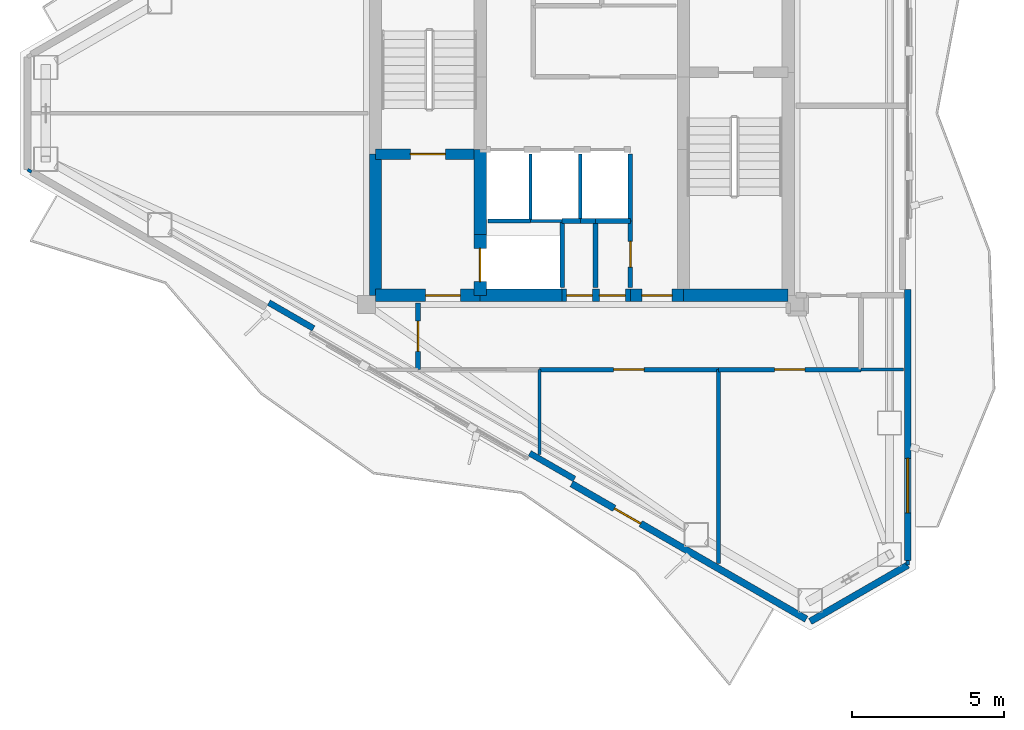
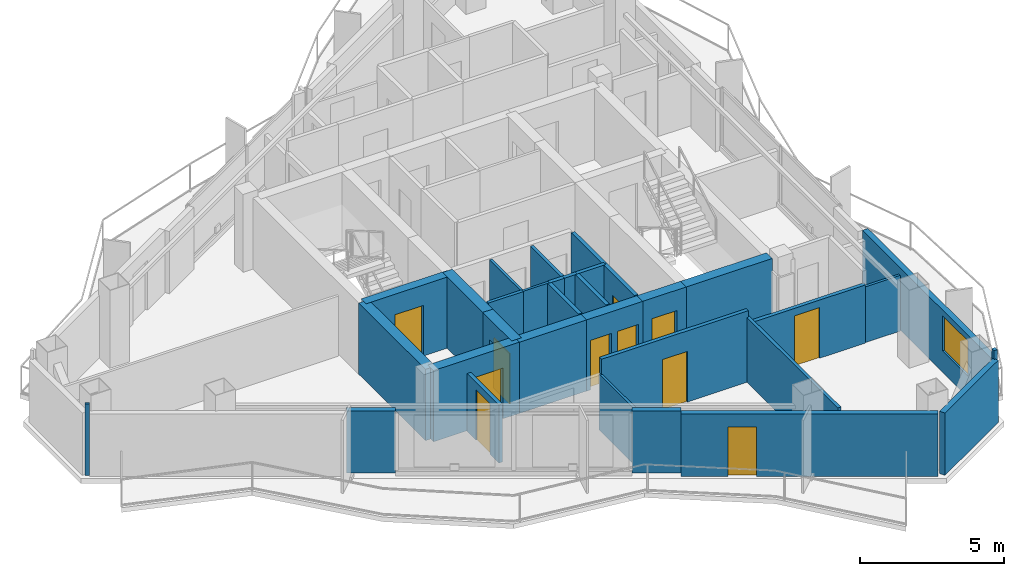
# One storey, part 14 of 18: 33 walls, 11 doors, 1 window, 12 openings.
"""IFC4 building model written with IfcOpenShell, lengths in metres."""

from ifc_helpers import new_model, si_unit, direction, frame, frame_2d, origin, place, context, subcontext, project, spatial, rectangle, extrude, material, layer, layer_set, type_object, element, fill, save


model = new_model("IFC4")

# Units and contexts
model_context = context("Model", 3, precision=1e-05, world=origin(), true_north=direction((0.0, 1.0)))
body_context = subcontext(model_context, "Body", "Model", "MODEL_VIEW")
ifc_project = project(units=[si_unit("LENGTHUNIT", "METRE"), si_unit("AREAUNIT", "SQUARE_METRE"), si_unit("VOLUMEUNIT", "CUBIC_METRE"), si_unit("PLANEANGLEUNIT", "RADIAN"), si_unit("MASSUNIT", "GRAM", prefix="KILO")], contexts=[model_context])

# Site, building, storey
site_placement = place(None, origin())
site = spatial("IfcSite", under=ifc_project, at=site_placement, CompositionType="ELEMENT")
building_placement = place(site_placement, origin())
building = spatial("IfcBuilding", under=site, at=building_placement, Name="Mersakhor Tower and Convention Hall", CompositionType="ELEMENT")
storey_placement = place(building_placement, frame((0.0, 0.0, 246.300048828125)))
storey = spatial("IfcBuildingStorey", under=building, at=storey_placement, Name="L69", CompositionType="ELEMENT", Elevation=246.300048828125)

# Wall
ifc_material_1 = material(Name="Precast concrete C40/50", Category="concrete")
ifc_layer_1 = layer(ifc_material_1, 0.22509765625)
ifc_layer_set_1 = layer_set([ifc_layer_1], Name="Precast concrete C40/50")
wall_type_1 = type_object("IfcWallType", Name="WL-EXT-225", PredefinedType="SOLIDWALL", material=ifc_layer_set_1)
wall_1_placement = place(storey_placement, frame((39.742919921875, 11.858154296875, 0.0), z_axis=(0.0, 0.0, 1.0), x_axis=(-0.866038962515, -0.499976514854, 0.0)))
element("IfcWall", 1, at=wall_1_placement, inside=storey, type_object=wall_type_1, Name="L69 Chamfer Braced Spandrel Wall C2", PredefinedType="SOLIDWALL", context=body_context, shape_type="SweptSolid", body=[
    extrude(rectangle(XDim=3.715576171875, YDim=0.22509765625, at=frame_2d((1.85791015625, 0.0))), origin(), (0.0, 0.0, 1.0), 2.639892578125),
])

# Wall, opening, window
wall_2_placement = place(storey_placement, frame((39.742919921875, 20.93603515625, 0.0), z_axis=(0.0, 0.0, 1.0), x_axis=(0.0, -1.0, 0.0)))
wall_2 = element("IfcWall", 2, at=wall_2_placement, inside=storey, type_object=wall_type_1, Name="L69 Exterior Facade Wall F2-B3", PredefinedType="SOLIDWALL", context=body_context, shape_type="SweptSolid", body=[
    extrude(rectangle(XDim=8.927734375, YDim=0.22509765625, at=frame_2d((4.4638671875, 0.0))), origin(), (0.0, 0.0, 1.0), 2.639892578125),
])
opening_1_placement = place(wall_2_placement, frame((5.56005859375, 0.0, 0.89990234375)))
opening_1 = element("IfcOpeningElement", 3, at=opening_1_placement, cuts=wall_2, Name="Opening W-03", PredefinedType="OPENING", context=body_context, shape_type="SweptSolid", body=[
    extrude(rectangle(XDim=1.800048828125, YDim=1.5, at=frame_2d((0.89990234375, 0.75))), frame((0.0, 0.12255859375, 0.0), z_axis=(0.0, -1.0, 0.0), x_axis=(1.0, 0.0, 0.0)), (0.0, 0.0, 1.0), 0.2451171875),
])
ifc_material_2 = material(Name="Dark solar low-E glazed aluminium window", Category="aluminium")
window_type = type_object("IfcWindowType", Name="WN-RES-180x150", PartitioningType="SINGLE_PANEL", PredefinedType="WINDOW", material=ifc_material_2)
window_placement = place(opening_1_placement, origin())
window = element("IfcWindow", 4, at=window_placement, inside=storey, type_object=window_type, Name="L69 Facade Punched Window F2-B3", OverallHeight=1.5, OverallWidth=1.800048828125, PartitioningType="SINGLE_PANEL", PredefinedType="WINDOW", context=body_context, shape_type="SweptSolid", body=[
    extrude(rectangle(XDim=1.800048828125, YDim=1.5, at=frame_2d((0.89990234375, 0.75))), frame((0.0, 0.030029296875, 0.0), z_axis=(0.0, -1.0, 0.0), x_axis=(1.0, 0.0, 0.0)), (0.0, 0.0, 1.0), 0.06005859375),
])
fill(opening_1, window)

# Wall, opening, door
wall_3_placement = place(storey_placement, frame((36.395263671875, 10.07568359375, 0.0), z_axis=(0.0, 0.0, 1.0), x_axis=(-0.866026655105, 0.499997832642, 0.0)))
wall_3 = element("IfcWall", 5, at=wall_3_placement, inside=storey, type_object=wall_type_1, Name="L69 Exterior Facade Wall F3-B1", PredefinedType="SOLIDWALL", context=body_context, shape_type="SweptSolid", body=[
    extrude(rectangle(XDim=8.927734375, YDim=0.22509765625, at=frame_2d((4.4638671875, 0.0))), origin(), (0.0, 0.0, 1.0), 2.639892578125),
])
opening_2_placement = place(wall_3_placement, frame((6.302001953125, 0.0, 0.0)))
opening_2 = element("IfcOpeningElement", 6, at=opening_2_placement, cuts=wall_3, Name="Opening BD-01", PredefinedType="OPENING", context=body_context, shape_type="SweptSolid", body=[
    extrude(rectangle(XDim=1.0, YDim=2.10009765625, at=frame_2d((0.5, 1.050048828125))), frame((0.0, 0.12255859375, 0.0), z_axis=(0.0, -1.0, 0.0), x_axis=(1.0, 0.0, 0.0)), (0.0, 0.0, 1.0), 0.2451171875),
])
ifc_material_3 = material(Name="Thermally broken dark aluminium and safety glass", Category="aluminium")
door_type_1 = type_object("IfcDoorType", Name="DR-BAL-100x210", OperationType="NOTDEFINED", PredefinedType="DOOR", material=ifc_material_3)
door_1_placement = place(opening_2_placement, origin())
door_1 = element("IfcDoor", 7, at=door_1_placement, inside=storey, type_object=door_type_1, Name="L69 Balcony Terrace Door F3-B1", OperationType="SINGLE_SWING_LEFT", OverallHeight=2.10009765625, OverallWidth=1.0, PredefinedType="DOOR", context=body_context, shape_type="SweptSolid", body=[
    extrude(rectangle(XDim=1.0, YDim=2.10009765625, at=frame_2d((0.5, 1.050048828125))), frame((0.0, 0.02490234375, 0.0), z_axis=(0.0, -1.0, 0.0), x_axis=(1.0, 0.0, 0.0)), (0.0, 0.0, 1.0), 0.050048828125),
])
fill(opening_2, door_1)

# Walls
ifc_material_4 = material(Name="Precast concrete C40/50", Category="concrete")
ifc_layer_2 = layer(ifc_material_4, 0.199951171875)
ifc_layer_set_2 = layer_set([ifc_layer_2], Name="Precast concrete C40/50")
wall_type_2 = type_object("IfcWallType", Name="WL-PAR-200", PredefinedType="PARAPET", material=ifc_layer_set_2)
for number, where, z_axis, x_axis, name in (
    (8, (28.753662109375, 14.6953125, 0.0), (0.0, 0.0, 1.0), (-0.866025371046, 0.500000056704, 0.0), "L69 Column Pier Cladding Wall F3-C1"),
    (9, (20.156005859375, 19.6591796875, 0.0), (0.0, 0.0, 1.0), (-0.866025371046, 0.500000056704, 0.0), "L69 Column Pier Cladding Wall F3-C2"),
):
    element("IfcWall", number, at=place(storey_placement, frame(where, z_axis=z_axis, x_axis=x_axis)), inside=storey, type_object=wall_type_2, Name=name, PredefinedType="PARAPET", context=body_context, shape_type="SweptSolid", body=[
        extrude(rectangle(XDim=1.7001953125, YDim=0.199951171875, at=frame_2d((0.85009765625, 0.0))), origin(), (0.0, 0.0, 1.0), 2.639892578125),
    ])
ifc_material_5 = material(Name="Lightweight gypsum partition", Category="other")
ifc_layer_3 = layer(ifc_material_5, 0.10009765625)
ifc_layer_set_3 = layer_set([ifc_layer_3], Name="Lightweight gypsum partition")
wall_type_3 = type_object("IfcWallType", Name="WL-PRT-100", PredefinedType="PARTITIONING", material=ifc_layer_set_3)
wall_4_placement = place(storey_placement, frame((27.300048828125, 23.199951171875, 0.0), z_axis=(0.0, 0.0, 1.0), x_axis=(1.0, 0.0, 0.0)))
element("IfcWall", 10, at=wall_4_placement, inside=storey, type_object=wall_type_3, Name="L69 Interior Partition Wall P-002", PredefinedType="PARTITIONING", context=body_context, shape_type="SweptSolid", body=[
    extrude(rectangle(XDim=1.050048828125, YDim=0.10009765625, at=frame_2d((0.52490234375, 0.0))), origin(), (0.0, 0.0, 1.0), 3.02001953125),
])
wall_5_placement = place(storey_placement, frame((27.300048828125, 25.39990234375, 0.0), z_axis=(0.0, 0.0, 1.0), x_axis=(0.0, -1.0, 0.0)))
element("IfcWall", 11, at=wall_5_placement, inside=storey, type_object=wall_type_3, Name="L69 Interior Partition Wall P-006", PredefinedType="PARTITIONING", context=body_context, shape_type="SweptSolid", body=[
    extrude(rectangle(XDim=2.199951171875, YDim=0.10009765625, at=frame_2d((1.10009765625, 0.0))), origin(), (0.0, 0.0, 1.0), 3.02001953125),
])
wall_6_placement = place(storey_placement, frame((27.60009765625, 18.300048828125, 0.0), z_axis=(0.0, 0.0, 1.0), x_axis=(0.0, -1.0, 0.0)))
element("IfcWall", 12, at=wall_6_placement, inside=storey, type_object=wall_type_3, Name="L69 Interior Partition Wall P-056", PredefinedType="PARTITIONING", context=body_context, shape_type="SweptSolid", body=[
    extrude(rectangle(XDim=2.79541015625, YDim=0.10009765625, at=frame_2d((1.397705078125, 0.0))), origin(), (0.0, 0.0, 1.0), 2.364990234375),
])
wall_7_placement = place(storey_placement, frame((38.199951171875, 18.300048828125, 0.0), z_axis=(0.0, 0.0, 1.0), x_axis=(1.0, 0.0, 0.0)))
element("IfcWall", 13, at=wall_7_placement, inside=storey, type_object=wall_type_3, Name="L69 Interior Partition Wall P-058", PredefinedType="PARTITIONING", context=body_context, shape_type="SweptSolid", body=[
    extrude(rectangle(XDim=1.40625, YDim=0.10009765625, at=frame_2d((0.703125, 0.0))), origin(), (0.0, 0.0, 1.0), 2.364990234375),
])
wall_8_placement = place(storey_placement, frame((10.86181640625, 24.817138671875, 0.0), z_axis=(0.0, 0.0, 1.0), x_axis=(-0.866131372301, 0.499816412211, 0.0)))
element("IfcWall", 14, at=wall_8_placement, inside=storey, type_object=wall_type_3, Name="L69 Interior Partition Wall P-062", PredefinedType="PARTITIONING", context=body_context, shape_type="SweptSolid", body=[
    extrude(rectangle(XDim=0.14990234375, YDim=0.10009765625, at=frame_2d((0.074951171875, 0.0))), origin(), (0.0, 0.0, 1.0), 3.02001953125),
])
ifc_material_6 = material(Name="Gypsum board acoustic partition", Category="other")
ifc_layer_4 = layer(ifc_material_6, 0.125)
ifc_layer_set_4 = layer_set([ifc_layer_4], Name="Gypsum board acoustic partition")
wall_type_4 = type_object("IfcWallType", Name="WL-PRT-125", PredefinedType="PARTITIONING", material=ifc_layer_set_4)
wall_9_placement = place(storey_placement, frame((25.89990234375, 23.199951171875, 0.0), z_axis=(0.0, 0.0, 1.0), x_axis=(1.0, 0.0, 0.0)))
element("IfcWall", 15, at=wall_9_placement, inside=storey, type_object=wall_type_4, Name="L69 Interior Partition Wall P-001", PredefinedType="PARTITIONING", context=body_context, shape_type="SweptSolid", body=[
    extrude(rectangle(XDim=1.400146484375, YDim=0.125, at=frame_2d((0.7001953125, 0.0))), origin(), (0.0, 0.0, 1.0), 3.02001953125),
])
wall_10_placement = place(storey_placement, frame((28.949951171875, 25.39990234375, 0.0), z_axis=(0.0, 0.0, 1.0), x_axis=(0.0, -1.0, 0.0)))
element("IfcWall", 16, at=wall_10_placement, inside=storey, type_object=wall_type_4, Name="L69 Interior Partition Wall P-007", PredefinedType="PARTITIONING", context=body_context, shape_type="SweptSolid", body=[
    extrude(rectangle(XDim=2.199951171875, YDim=0.125, at=frame_2d((1.10009765625, 0.0))), origin(), (0.0, 0.0, 1.0), 3.02001953125),
])
wall_11_placement = place(storey_placement, frame((33.5, 18.300048828125, 0.0), z_axis=(0.0, 0.0, 1.0), x_axis=(0.0, -1.0, 0.0)))
element("IfcWall", 17, at=wall_11_placement, inside=storey, type_object=wall_type_4, Name="L69 Interior Partition Wall P-057", PredefinedType="PARTITIONING", context=body_context, shape_type="SweptSolid", body=[
    extrude(rectangle(XDim=6.395263671875, YDim=0.125, at=frame_2d((3.19775390625, 0.0))), origin(), (0.0, 0.0, 1.0), 2.74462890625),
])
wall_12_placement = place(storey_placement, frame((39.742919921875, 12.00830078125, 0.0), z_axis=(0.0, 0.0, 1.0), x_axis=(0.0, -1.0, 0.0)))
element("IfcWall", 18, at=wall_12_placement, inside=storey, type_object=wall_type_4, Name="L69 Interior Partition Wall P-059", PredefinedType="PARTITIONING", context=body_context, shape_type="SweptSolid", body=[
    extrude(rectangle(XDim=0.150390625, YDim=0.125, at=frame_2d((0.0751953125, 0.0))), origin(), (0.0, 0.0, 1.0), 3.02001953125),
])
ifc_material_7 = material(Name="Fire-rated gypsum board stud partition", Category="other")
ifc_layer_5 = layer(ifc_material_7, 0.14990234375)
ifc_layer_set_5 = layer_set([ifc_layer_5], Name="Fire-rated gypsum board stud partition")
wall_type_5 = type_object("IfcWallType", Name="WL-PRT-150", PredefinedType="PARTITIONING", material=ifc_layer_set_5)
wall_13_placement = place(storey_placement, frame((28.35009765625, 23.199951171875, 0.0), z_axis=(0.0, 0.0, 1.0), x_axis=(0.0, -1.0, 0.0)))
element("IfcWall", 19, at=wall_13_placement, inside=storey, type_object=wall_type_5, Name="L69 Interior Partition Wall P-003", PredefinedType="PARTITIONING", context=body_context, shape_type="SweptSolid", body=[
    extrude(rectangle(XDim=2.199951171875, YDim=0.14990234375, at=frame_2d((1.10009765625, 0.0))), origin(), (0.0, 0.0, 1.0), 3.02001953125),
])
wall_14_placement = place(storey_placement, frame((28.949951171875, 23.199951171875, 0.0), z_axis=(0.0, 0.0, 1.0), x_axis=(-1.0, 0.0, 0.0)))
element("IfcWall", 20, at=wall_14_placement, inside=storey, type_object=wall_type_5, Name="L69 Interior Partition Wall P-008", PredefinedType="PARTITIONING", context=body_context, shape_type="SweptSolid", body=[
    extrude(rectangle(XDim=0.599853515625, YDim=0.14990234375, at=frame_2d((0.2998046875, 0.0))), origin(), (0.0, 0.0, 1.0), 3.02001953125),
])
wall_15_placement = place(storey_placement, frame((30.60009765625, 25.39990234375, 0.0), z_axis=(0.0, 0.0, 1.0), x_axis=(0.0, -1.0, 0.0)))
element("IfcWall", 21, at=wall_15_placement, inside=storey, type_object=wall_type_5, Name="L69 Interior Partition Wall P-009", PredefinedType="PARTITIONING", context=body_context, shape_type="SweptSolid", body=[
    extrude(rectangle(XDim=2.199951171875, YDim=0.14990234375, at=frame_2d((1.10009765625, 0.0))), origin(), (0.0, 0.0, 1.0), 3.02001953125),
])
wall_16_placement = place(storey_placement, frame((30.60009765625, 23.199951171875, 0.0), z_axis=(0.0, 0.0, 1.0), x_axis=(-1.0, 0.0, 0.0)))
element("IfcWall", 22, at=wall_16_placement, inside=storey, type_object=wall_type_5, Name="L69 Interior Partition Wall P-010", PredefinedType="PARTITIONING", context=body_context, shape_type="SweptSolid", body=[
    extrude(rectangle(XDim=1.150146484375, YDim=0.14990234375, at=frame_2d((0.5751953125, 0.0))), origin(), (0.0, 0.0, 1.0), 3.02001953125),
])
wall_17_placement = place(storey_placement, frame((29.449951171875, 23.199951171875, 0.0), z_axis=(0.0, 0.0, 1.0), x_axis=(-1.0, 0.0, 0.0)))
element("IfcWall", 23, at=wall_17_placement, inside=storey, type_object=wall_type_5, Name="L69 Interior Partition Wall P-011", PredefinedType="PARTITIONING", context=body_context, shape_type="SweptSolid", body=[
    extrude(rectangle(XDim=0.5, YDim=0.14990234375, at=frame_2d((0.25, 0.0))), origin(), (0.0, 0.0, 1.0), 3.02001953125),
])

# Wall, opening, door
wall_18_placement = place(storey_placement, frame((30.60009765625, 21.0, 0.0), z_axis=(0.0, 0.0, 1.0), x_axis=(0.0, 1.0, 0.0)))
wall_18 = element("IfcWall", 24, at=wall_18_placement, inside=storey, type_object=wall_type_5, Name="L69 Interior Partition Wall P-012", PredefinedType="PARTITIONING", context=body_context, shape_type="SweptSolid", body=[
    extrude(rectangle(XDim=2.199951171875, YDim=0.14990234375, at=frame_2d((1.10009765625, 0.0))), origin(), (0.0, 0.0, 1.0), 3.02001953125),
])
opening_3_placement = place(wall_18_placement, frame((0.675048828125, 0.0, 0.0)))
opening_3 = element("IfcOpeningElement", 25, at=opening_3_placement, cuts=wall_18, Name="Opening SVD-01", PredefinedType="OPENING", context=body_context, shape_type="SweptSolid", body=[
    extrude(rectangle(XDim=0.85009765625, YDim=2.10009765625, at=frame_2d((0.425048828125, 1.050048828125))), frame((0.0, 0.0849609375, 0.0), z_axis=(0.0, -1.0, 0.0), x_axis=(1.0, 0.0, 0.0)), (0.0, 0.0, 1.0), 0.169921875),
])
ifc_material_8 = material(Name="Fire-rated hardwood leaf and painted steel frame", Category="steel")
door_type_2 = type_object("IfcDoorType", Name="DR-INT-SVC-085x210", OperationType="NOTDEFINED", PredefinedType="DOOR", material=ifc_material_8)
door_2_placement = place(opening_3_placement, origin())
door_2 = element("IfcDoor", 26, at=door_2_placement, inside=storey, type_object=door_type_2, Name="L69 Central Passenger Lift Lobby to Core Maintenance Store Room Door", OperationType="SINGLE_SWING_RIGHT", OverallHeight=2.10009765625, OverallWidth=0.85009765625, PredefinedType="DOOR", context=body_context, shape_type="SweptSolid", body=[
    extrude(rectangle(XDim=0.85009765625, YDim=2.10009765625, at=frame_2d((0.425048828125, 1.050048828125))), frame((0.0, 0.02490234375, 0.0), z_axis=(0.0, -1.0, 0.0), x_axis=(1.0, 0.0, 0.0)), (0.0, 0.0, 1.0), 0.050048828125),
])
fill(opening_3, door_2)

wall_19_placement = place(storey_placement, frame((38.199951171875, 18.300048828125, 0.0), z_axis=(0.0, 0.0, 1.0), x_axis=(-1.0, 0.0, 0.0)))
wall_19 = element("IfcWall", 27, at=wall_19_placement, inside=storey, type_object=wall_type_5, Name="L69 Interior Partition Wall P-031", PredefinedType="PARTITIONING", context=body_context, shape_type="SweptSolid", body=[
    extrude(rectangle(XDim=4.699951171875, YDim=0.14990234375, at=frame_2d((2.35009765625, 0.0))), origin(), (0.0, 0.0, 1.0), 2.46826171875),
])
opening_4_placement = place(wall_19_placement, frame((1.85009765625, 0.0, 0.0)))
opening_4 = element("IfcOpeningElement", 28, at=opening_4_placement, cuts=wall_19, Name="Opening FD-01", PredefinedType="OPENING", context=body_context, shape_type="SweptSolid", body=[
    extrude(rectangle(XDim=1.0, YDim=2.14990234375, at=frame_2d((0.5, 1.074951171875))), frame((0.0, 0.0849609375, 0.0), z_axis=(0.0, -1.0, 0.0), x_axis=(1.0, 0.0, 0.0)), (0.0, 0.0, 1.0), 0.169921875),
])
ifc_material_9 = material(Name="Fire-rated hardwood leaf and painted steel frame", Category="steel")
door_type_3 = type_object("IfcDoorType", Name="DR-INT-FLT-100x215", OperationType="NOTDEFINED", PredefinedType="DOOR", material=ifc_material_9)
door_3_placement = place(opening_4_placement, origin())
door_3 = element("IfcDoor", 29, at=door_3_placement, inside=storey, type_object=door_type_3, Name="L69 Residential South Gallery Corridor to L69 South-East Co-Working Office Door", OperationType="SINGLE_SWING_LEFT", OverallHeight=2.14990234375, OverallWidth=1.0, PredefinedType="DOOR", context=body_context, shape_type="SweptSolid", body=[
    extrude(rectangle(XDim=1.0, YDim=2.14990234375, at=frame_2d((0.5, 1.074951171875))), frame((0.0, 0.02490234375, 0.0), z_axis=(0.0, -1.0, 0.0), x_axis=(1.0, 0.0, 0.0)), (0.0, 0.0, 1.0), 0.050048828125),
])
fill(opening_4, door_3)

wall_20_placement = place(storey_placement, frame((33.5, 18.300048828125, 0.0), z_axis=(0.0, 0.0, 1.0), x_axis=(-1.0, 0.0, 0.0)))
wall_20 = element("IfcWall", 30, at=wall_20_placement, inside=storey, type_object=wall_type_5, Name="L69 Interior Partition Wall P-032", PredefinedType="PARTITIONING", context=body_context, shape_type="SweptSolid", body=[
    extrude(rectangle(XDim=5.89990234375, YDim=0.14990234375, at=frame_2d((2.949951171875, 0.0))), origin(), (0.0, 0.0, 1.0), 3.02001953125),
])
opening_5_placement = place(wall_20_placement, frame((2.449951171875, 0.0, 0.0)))
opening_5 = element("IfcOpeningElement", 31, at=opening_5_placement, cuts=wall_20, Name="Opening FD-01", PredefinedType="OPENING", context=body_context, shape_type="SweptSolid", body=[
    extrude(rectangle(XDim=1.0, YDim=2.14990234375, at=frame_2d((0.5, 1.074951171875))), frame((0.0, 0.0849609375, 0.0), z_axis=(0.0, -1.0, 0.0), x_axis=(1.0, 0.0, 0.0)), (0.0, 0.0, 1.0), 0.169921875),
])
door_4_placement = place(opening_5_placement, origin())
door_4 = element("IfcDoor", 32, at=door_4_placement, inside=storey, type_object=door_type_3, Name="L69 Residential South Gallery Corridor to L69 South Crown Ceramics Teaching Studio Door", OperationType="SINGLE_SWING_RIGHT", OverallHeight=2.14990234375, OverallWidth=1.0, PredefinedType="DOOR", context=body_context, shape_type="SweptSolid", body=[
    extrude(rectangle(XDim=1.0, YDim=2.14990234375, at=frame_2d((0.5, 1.074951171875))), frame((0.0, 0.02490234375, 0.0), z_axis=(0.0, -1.0, 0.0), x_axis=(1.0, 0.0, 0.0)), (0.0, 0.0, 1.0), 0.050048828125),
])
fill(opening_5, door_4)

wall_21_placement = place(storey_placement, frame((23.60009765625, 18.300048828125, 0.0), z_axis=(0.0, 0.0, 1.0), x_axis=(0.0, 1.0, 0.0)))
wall_21 = element("IfcWall", 33, at=wall_21_placement, inside=storey, type_object=wall_type_5, Name="L69 Interior Partition Wall P-034", PredefinedType="PARTITIONING", context=body_context, shape_type="SweptSolid", body=[
    extrude(rectangle(XDim=2.199951171875, YDim=0.14990234375, at=frame_2d((1.10009765625, 0.0))), origin(), (0.0, 0.0, 1.0), 2.46826171875),
])
opening_6_placement = place(wall_21_placement, frame((0.60009765625, 0.0, 0.0)))
opening_6 = element("IfcOpeningElement", 34, at=opening_6_placement, cuts=wall_21, Name="Opening FD-01", PredefinedType="OPENING", context=body_context, shape_type="SweptSolid", body=[
    extrude(rectangle(XDim=1.0, YDim=2.14990234375, at=frame_2d((0.5, 1.074951171875))), frame((0.0, 0.0849609375, 0.0), z_axis=(0.0, -1.0, 0.0), x_axis=(1.0, 0.0, 0.0)), (0.0, 0.0, 1.0), 0.169921875),
])
door_5_placement = place(opening_6_placement, origin())
door_5 = element("IfcDoor", 35, at=door_5_placement, inside=storey, type_object=door_type_3, Name="L69 Residential South Gallery Corridor to L69 West Crown Quiet Dining Lounge Door", OperationType="SINGLE_SWING_RIGHT", OverallHeight=2.14990234375, OverallWidth=1.0, PredefinedType="DOOR", context=body_context, shape_type="SweptSolid", body=[
    extrude(rectangle(XDim=1.0, YDim=2.14990234375, at=frame_2d((0.5, 1.074951171875))), frame((0.0, 0.02490234375, 0.0), z_axis=(0.0, -1.0, 0.0), x_axis=(1.0, 0.0, 0.0)), (0.0, 0.0, 1.0), 0.050048828125),
])
fill(opening_6, door_5)

# Wall
wall_22_placement = place(storey_placement, frame((29.449951171875, 23.199951171875, 0.0), z_axis=(0.0, 0.0, 1.0), x_axis=(0.0, -1.0, 0.0)))
element("IfcWall", 36, at=wall_22_placement, inside=storey, type_object=wall_type_5, Name="L69 Interior Partition Wall P-052", PredefinedType="PARTITIONING", context=body_context, shape_type="SweptSolid", body=[
    extrude(rectangle(XDim=2.199951171875, YDim=0.14990234375, at=frame_2d((1.10009765625, 0.0))), origin(), (0.0, 0.0, 1.0), 3.02001953125),
])

# Wall, opening, door
ifc_material_10 = material(Name="Concrete C50/60", Category="concrete")
ifc_layer_6 = layer(ifc_material_10, 0.35009765625)
ifc_layer_set_6 = layer_set([ifc_layer_6], Name="Concrete C50/60")
wall_type_6 = type_object("IfcWallType", Name="WL-SHR-350", PredefinedType="SHEAR", material=ifc_layer_set_6)
wall_23_placement = place(storey_placement, frame((22.199951171875, 25.39990234375, 0.0), z_axis=(0.0, 0.0, 1.0), x_axis=(1.0, 0.0, 0.0)))
wall_23 = element("IfcWall", 37, at=wall_23_placement, inside=storey, type_object=wall_type_6, Name="L69 Core Wall CS-ST1-S", PredefinedType="SHEAR", context=body_context, shape_type="SweptSolid", body=[
    extrude(rectangle(XDim=3.449951171875, YDim=0.35009765625, at=frame_2d((1.72509765625, 0.0))), origin(), (0.0, 0.0, 1.0), 3.02001953125),
])
opening_7_placement = place(wall_23_placement, frame((1.14990234375, 0.0, 0.0)))
opening_7 = element("IfcOpeningElement", 38, at=opening_7_placement, cuts=wall_23, Name="Opening SD-01", PredefinedType="OPENING", context=body_context, shape_type="SweptSolid", body=[
    extrude(rectangle(XDim=1.14990234375, YDim=2.14990234375, at=frame_2d((0.574951171875, 1.074951171875))), frame((0.0, 0.18505859375, 0.0), z_axis=(0.0, -1.0, 0.0), x_axis=(1.0, 0.0, 0.0)), (0.0, 0.0, 1.0), 0.3701171875),
])
ifc_material_11 = material(Name="Fire-rated hardwood leaf and painted steel frame", Category="steel")
door_type_4 = type_object("IfcDoorType", Name="DR-INT-STAIR-115x215", OperationType="NOTDEFINED", PredefinedType="DOOR", material=ifc_material_11)
door_6_placement = place(opening_7_placement, origin())
door_6 = element("IfcDoor", 39, at=door_6_placement, inside=storey, type_object=door_type_4, Name="L69 Exit Stair ST-1 Enclosure Door", OperationType="SINGLE_SWING_LEFT", OverallHeight=2.14990234375, OverallWidth=1.14990234375, PredefinedType="DOOR", context=body_context, shape_type="SweptSolid", body=[
    extrude(rectangle(XDim=1.14990234375, YDim=2.14990234375, at=frame_2d((0.574951171875, 1.074951171875))), frame((0.0, 0.02490234375, 0.0), z_axis=(0.0, -1.0, 0.0), x_axis=(1.0, 0.0, 0.0)), (0.0, 0.0, 1.0), 0.050048828125),
])
fill(opening_7, door_6)

# Walls
ifc_material_12 = material(Name="Concrete C60/75", Category="concrete")
ifc_layer_7 = layer(ifc_material_12, 0.39990234375)
ifc_layer_set_7 = layer_set([ifc_layer_7], Name="Concrete C60/75")
wall_type_7 = type_object("IfcWallType", Name="WL-SHR-400", PredefinedType="SHEAR", material=ifc_layer_set_7)
wall_24_placement = place(storey_placement, frame((22.199951171875, 20.75, 0.0), z_axis=(0.0, 0.0, 1.0), x_axis=(0.0, 1.0, 0.0)))
element("IfcWall", 40, at=wall_24_placement, inside=storey, type_object=wall_type_7, Name="L69 Core Wall CW-W1", PredefinedType="SHEAR", context=body_context, shape_type="SweptSolid", body=[
    extrude(rectangle(XDim=4.64990234375, YDim=0.39990234375, at=frame_2d((2.324951171875, 0.0))), origin(), (0.0, 0.0, 1.0), 3.02001953125),
])
wall_25_placement = place(storey_placement, frame((35.800048828125, 20.75, 0.0), z_axis=(0.0, 0.0, 1.0), x_axis=(-1.0, 0.0, 0.0)))
element("IfcWall", 41, at=wall_25_placement, inside=storey, type_object=wall_type_7, Name="L69 Core Wall CW-S1", PredefinedType="SHEAR", context=body_context, shape_type="SweptSolid", body=[
    extrude(rectangle(XDim=3.449951171875, YDim=0.39990234375, at=frame_2d((1.72509765625, 0.0))), origin(), (0.0, 0.0, 1.0), 3.02001953125),
])

# Wall, opening, door
wall_26_placement = place(storey_placement, frame((32.35009765625, 20.75, 0.0), z_axis=(0.0, 0.0, 1.0), x_axis=(-1.0, 0.0, 0.0)))
wall_26 = element("IfcWall", 42, at=wall_26_placement, inside=storey, type_object=wall_type_7, Name="L69 Core Wall CW-S2A", PredefinedType="SHEAR", context=body_context, shape_type="SweptSolid", body=[
    extrude(rectangle(XDim=1.75, YDim=0.39990234375, at=frame_2d((0.875, 0.0))), origin(), (0.0, 0.0, 1.0), 3.02001953125),
])
opening_8_placement = place(wall_26_placement, frame((0.375, 0.0, 0.0)))
opening_8 = element("IfcOpeningElement", 43, at=opening_8_placement, cuts=wall_26, Name="Opening CFD-01", PredefinedType="OPENING", context=body_context, shape_type="SweptSolid", body=[
    extrude(rectangle(XDim=1.0, YDim=2.14990234375, at=frame_2d((0.5, 1.074951171875))), frame((0.0, 0.2099609375, 0.0), z_axis=(0.0, -1.0, 0.0), x_axis=(1.0, 0.0, 0.0)), (0.0, 0.0, 1.0), 0.419921875),
])
ifc_material_13 = material(Name="Fire-rated hardwood leaf and painted steel frame", Category="steel")
door_type_5 = type_object("IfcDoorType", Name="DR-CORE-FD-100x215", OperationType="NOTDEFINED", PredefinedType="DOOR", material=ifc_material_13)
door_7_placement = place(opening_8_placement, origin())
door_7 = element("IfcDoor", 44, at=door_7_placement, inside=storey, type_object=door_type_5, Name="L69 Lift Lobby South Corridor Door", OperationType="SINGLE_SWING_RIGHT", OverallHeight=2.14990234375, OverallWidth=1.0, PredefinedType="DOOR", context=body_context, shape_type="SweptSolid", body=[
    extrude(rectangle(XDim=1.0, YDim=2.14990234375, at=frame_2d((0.5, 1.074951171875))), frame((0.0, 0.02490234375, 0.0), z_axis=(0.0, -1.0, 0.0), x_axis=(1.0, 0.0, 0.0)), (0.0, 0.0, 1.0), 0.050048828125),
])
fill(opening_8, door_7)

# Wall, openings, doors
wall_27_placement = place(storey_placement, frame((30.60009765625, 20.75, 0.0), z_axis=(0.0, 0.0, 1.0), x_axis=(-1.0, 0.0, 0.0)))
wall_27 = element("IfcWall", 45, at=wall_27_placement, inside=storey, type_object=wall_type_7, Name="L69 Core Wall CW-S2B", PredefinedType="SHEAR", context=body_context, shape_type="SweptSolid", body=[
    extrude(rectangle(XDim=2.25, YDim=0.39990234375, at=frame_2d((1.125, 0.0))), origin(), (0.0, 0.0, 1.0), 3.02001953125),
])
opening_9_placement = place(wall_27_placement, frame((1.2548828125, 0.0, 0.0)))
opening_9 = element("IfcOpeningElement", 46, at=opening_9_placement, cuts=wall_27, Name="Opening SVD-01", PredefinedType="OPENING", context=body_context, shape_type="SweptSolid", body=[
    extrude(rectangle(XDim=0.85009765625, YDim=2.10009765625, at=frame_2d((0.425048828125, 1.050048828125))), frame((0.0, 0.2099609375, 0.0), z_axis=(0.0, -1.0, 0.0), x_axis=(1.0, 0.0, 0.0)), (0.0, 0.0, 1.0), 0.419921875),
])
opening_10_placement = place(wall_27_placement, frame((0.169921875, 0.0, 0.0)))
opening_10 = element("IfcOpeningElement", 47, at=opening_10_placement, cuts=wall_27, Name="Opening SVD-01", PredefinedType="OPENING", context=body_context, shape_type="SweptSolid", body=[
    extrude(rectangle(XDim=0.85009765625, YDim=2.10009765625, at=frame_2d((0.425048828125, 1.050048828125))), frame((0.0, 0.2099609375, 0.0), z_axis=(0.0, -1.0, 0.0), x_axis=(1.0, 0.0, 0.0)), (0.0, 0.0, 1.0), 0.419921875),
])
door_8_placement = place(opening_9_placement, origin())
door_8 = element("IfcDoor", 48, at=door_8_placement, inside=storey, type_object=door_type_2, Name="L69 Residential South Gallery Corridor to Sub-Metering Switch Room Door", OperationType="SINGLE_SWING_LEFT", OverallHeight=2.10009765625, OverallWidth=0.85009765625, PredefinedType="DOOR", context=body_context, shape_type="SweptSolid", body=[
    extrude(rectangle(XDim=0.85009765625, YDim=2.10009765625, at=frame_2d((0.425048828125, 1.050048828125))), frame((0.0, 0.02490234375, 0.0), z_axis=(0.0, -1.0, 0.0), x_axis=(1.0, 0.0, 0.0)), (0.0, 0.0, 1.0), 0.050048828125),
])
fill(opening_9, door_8)
door_9_placement = place(opening_10_placement, origin())
door_9 = element("IfcDoor", 49, at=door_9_placement, inside=storey, type_object=door_type_2, Name="L69 Residential South Gallery Corridor to Core Maintenance Store Room Door", OperationType="SINGLE_SWING_RIGHT", OverallHeight=2.10009765625, OverallWidth=0.85009765625, PredefinedType="DOOR", context=body_context, shape_type="SweptSolid", body=[
    extrude(rectangle(XDim=0.85009765625, YDim=2.10009765625, at=frame_2d((0.425048828125, 1.050048828125))), frame((0.0, 0.02490234375, 0.0), z_axis=(0.0, -1.0, 0.0), x_axis=(1.0, 0.0, 0.0)), (0.0, 0.0, 1.0), 0.050048828125),
])
fill(opening_10, door_9)

# Wall
wall_28_placement = place(storey_placement, frame((28.35009765625, 20.75, 0.0), z_axis=(0.0, 0.0, 1.0), x_axis=(-1.0, 0.0, 0.0)))
element("IfcWall", 50, at=wall_28_placement, inside=storey, type_object=wall_type_7, Name="L69 Core Wall CW-S3", PredefinedType="SHEAR", context=body_context, shape_type="SweptSolid", body=[
    extrude(rectangle(XDim=2.7001953125, YDim=0.39990234375, at=frame_2d((1.35009765625, 0.0))), origin(), (0.0, 0.0, 1.0), 3.02001953125),
])

# Wall, opening, door
wall_29_placement = place(storey_placement, frame((25.64990234375, 20.75, 0.0), z_axis=(0.0, 0.0, 1.0), x_axis=(-1.0, 0.0, 0.0)))
wall_29 = element("IfcWall", 51, at=wall_29_placement, inside=storey, type_object=wall_type_7, Name="L69 Core Wall CW-S4", PredefinedType="SHEAR", context=body_context, shape_type="SweptSolid", body=[
    extrude(rectangle(XDim=3.449951171875, YDim=0.39990234375, at=frame_2d((1.72509765625, 0.0))), origin(), (0.0, 0.0, 1.0), 3.02001953125),
])
opening_11_placement = place(wall_29_placement, frame((0.64990234375, 0.0, 0.0)))
opening_11 = element("IfcOpeningElement", 52, at=opening_11_placement, cuts=wall_29, Name="Opening SD-01", PredefinedType="OPENING", context=body_context, shape_type="SweptSolid", body=[
    extrude(rectangle(XDim=1.14990234375, YDim=2.14990234375, at=frame_2d((0.574951171875, 1.074951171875))), frame((0.0, 0.2099609375, 0.0), z_axis=(0.0, -1.0, 0.0), x_axis=(1.0, 0.0, 0.0)), (0.0, 0.0, 1.0), 0.419921875),
])
door_10_placement = place(opening_11_placement, origin())
door_10 = element("IfcDoor", 53, at=door_10_placement, inside=storey, type_object=door_type_4, Name="L69 Firefighting Lobby West Fire Door", OperationType="SINGLE_SWING_LEFT", OverallHeight=2.14990234375, OverallWidth=1.14990234375, PredefinedType="DOOR", context=body_context, shape_type="SweptSolid", body=[
    extrude(rectangle(XDim=1.14990234375, YDim=2.14990234375, at=frame_2d((0.574951171875, 1.074951171875))), frame((0.0, 0.02490234375, 0.0), z_axis=(0.0, -1.0, 0.0), x_axis=(1.0, 0.0, 0.0)), (0.0, 0.0, 1.0), 0.050048828125),
])
fill(opening_11, door_10)

wall_30_placement = place(storey_placement, frame((25.64990234375, 20.75, 0.0), z_axis=(0.0, 0.0, 1.0), x_axis=(0.0, 1.0, 0.0)))
wall_30 = element("IfcWall", 54, at=wall_30_placement, inside=storey, type_object=wall_type_7, Name="L69 Core Wall CS-W-FFL", PredefinedType="SHEAR", context=body_context, shape_type="SweptSolid", body=[
    extrude(rectangle(XDim=2.0, YDim=0.39990234375, at=frame_2d((1.0, 0.0))), origin(), (0.0, 0.0, 1.0), 3.02001953125),
])
opening_12_placement = place(wall_30_placement, frame((0.449951171875, 0.0, 0.0)))
opening_12 = element("IfcOpeningElement", 55, at=opening_12_placement, cuts=wall_30, Name="Opening LD-FFL1", PredefinedType="OPENING", context=body_context, shape_type="SweptSolid", body=[
    extrude(rectangle(XDim=1.10009765625, YDim=2.14990234375, at=frame_2d((0.550048828125, 1.074951171875))), frame((0.0, 0.2099609375, 0.0), z_axis=(0.0, -1.0, 0.0), x_axis=(1.0, 0.0, 0.0)), (0.0, 0.0, 1.0), 0.419921875),
])
ifc_material_14 = material(Name="Fire-rated brushed stainless steel sliding landing door", Category="steel")
door_type_6 = type_object("IfcDoorType", Name="DR-LIFT-SLD-110x215", OperationType="NOTDEFINED", PredefinedType="DOOR", material=ifc_material_14)
door_11_placement = place(opening_12_placement, origin())
door_11 = element("IfcDoor", 56, at=door_11_placement, inside=storey, type_object=door_type_6, Name="L69 Firefighting Lift Landing Door LD-FFL1", OperationType="SLIDING_TO_LEFT", OverallHeight=2.14990234375, OverallWidth=1.10009765625, PredefinedType="DOOR", context=body_context, shape_type="SweptSolid", body=[
    extrude(rectangle(XDim=1.10009765625, YDim=2.14990234375, at=frame_2d((0.550048828125, 1.074951171875))), frame((0.0, 0.02490234375, 0.0), z_axis=(0.0, -1.0, 0.0), x_axis=(1.0, 0.0, 0.0)), (0.0, 0.0, 1.0), 0.050048828125),
])
fill(opening_12, door_11)

# Wall
wall_31_placement = place(storey_placement, frame((25.64990234375, 22.75, 0.0), z_axis=(0.0, 0.0, 1.0), x_axis=(0.0, 1.0, 0.0)))
element("IfcWall", 57, at=wall_31_placement, inside=storey, type_object=wall_type_7, Name="L69 Core Wall CS-W-MID", PredefinedType="SHEAR", context=body_context, shape_type="SweptSolid", body=[
    extrude(rectangle(XDim=2.800048828125, YDim=0.39990234375, at=frame_2d((1.39990234375, 0.0))), origin(), (0.0, 0.0, 1.0), 3.02001953125),
])

save(model, "model.ifc")
